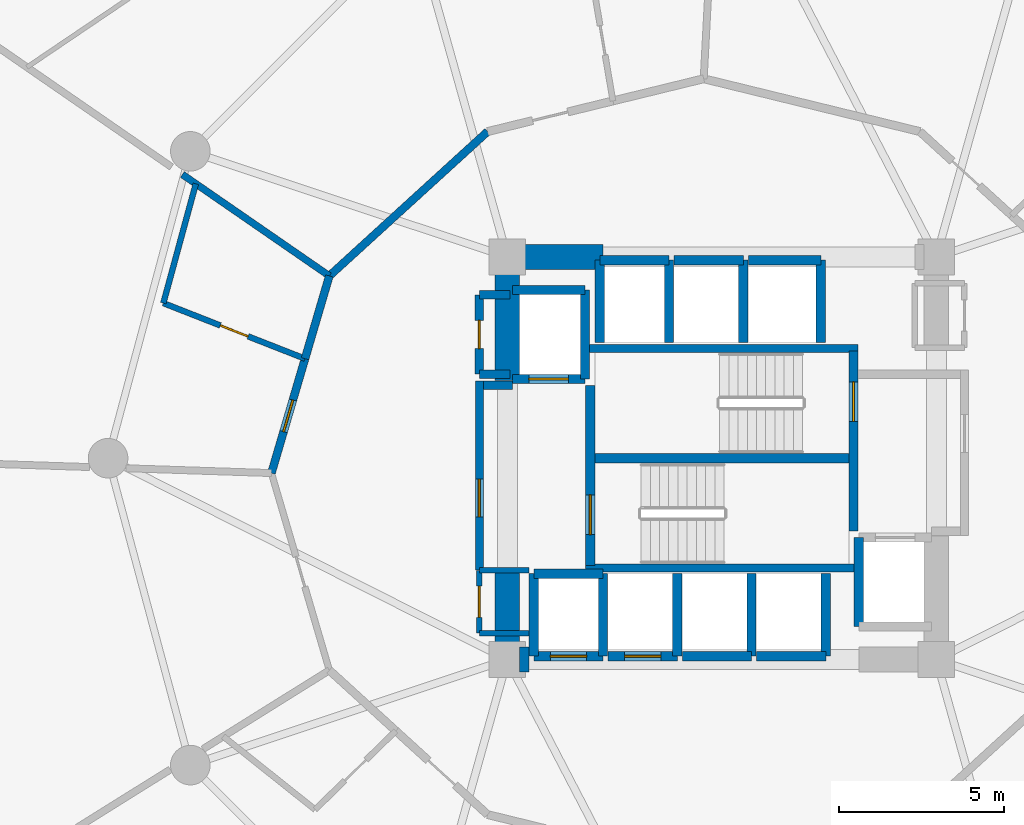
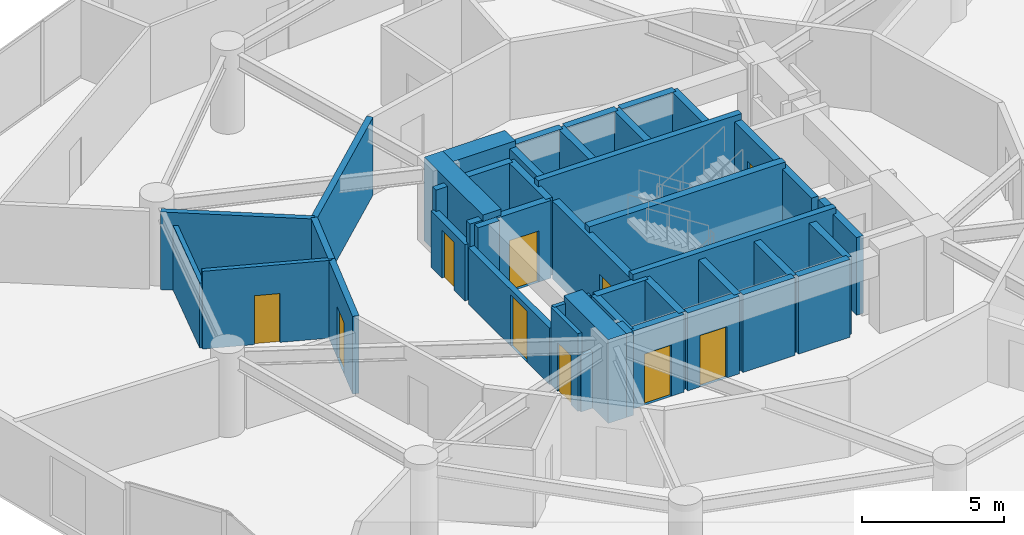
# One storey, part 21 of 26: 44 walls, 10 doors, 10 openings.
"""IFC4 building model written with IfcOpenShell, lengths in metres."""

from ifc_helpers import new_model, si_unit, direction, frame, frame_2d, origin, place, context, subcontext, project, spatial, rectangle, extrude, material, layer, layer_set, type_object, element, fill, save


model = new_model("IFC4")

# Units and contexts
model_context = context("Model", 3, precision=1e-05, world=origin(), true_north=direction((0.0, 1.0)))
body_context = subcontext(model_context, "Body", "Model", "MODEL_VIEW")
ifc_project = project(units=[si_unit("LENGTHUNIT", "METRE"), si_unit("AREAUNIT", "SQUARE_METRE"), si_unit("VOLUMEUNIT", "CUBIC_METRE"), si_unit("PLANEANGLEUNIT", "RADIAN"), si_unit("MASSUNIT", "GRAM", prefix="KILO")], contexts=[model_context])

# Site, building, storey
site_placement = place(None, origin())
site = spatial("IfcSite", under=ifc_project, at=site_placement, CompositionType="ELEMENT")
building_placement = place(site_placement, origin())
building = spatial("IfcBuilding", under=site, at=building_placement, Name="Solvirekh Grand Hotel", CompositionType="ELEMENT")
storey_placement = place(building_placement, frame((0.0, 0.0, 68.0)))
storey = spatial("IfcBuildingStorey", under=building, at=storey_placement, Name="L16", CompositionType="ELEMENT", Elevation=68.0)

# Walls
ifc_material_1 = material(Name="Concrete C50/60", Category="concrete")
ifc_layer_1 = layer(ifc_material_1, 0.35009765625)
ifc_layer_set_1 = layer_set([ifc_layer_1], Name="Concrete C50/60")
wall_type_1 = type_object("IfcWallType", Name="CoreDivWall_RC350", PredefinedType="SOLIDWALL", material=ifc_layer_set_1)
for number, where, z_axis, x_axis, name in (
    (1, (-4.1298828125, -3.324951171875, 0.0), (0.0, 0.0, 1.0), (1.0, 0.0, 0.0), "L16 core stair box wall ST-S"),
    (2, (-4.1298828125, 3.324951171875, 0.0), (0.0, 0.0, 1.0), (1.0, 0.0, 0.0), "L16 core stair box wall ST-N"),
):
    element("IfcWall", number, at=place(storey_placement, frame(where, z_axis=z_axis, x_axis=x_axis)), inside=storey, type_object=wall_type_1, Name=name, PredefinedType="SOLIDWALL", context=body_context, shape_type="SweptSolid", body=[
        extrude(rectangle(XDim=8.259765625, YDim=0.25, at=frame_2d((4.1298828125, 0.0))), origin(), (0.0, 0.0, 1.0), 3.60009765625),
    ])

# Wall, opening, door
ifc_material_2 = material(Name="Concrete C40/50", Category="concrete")
ifc_layer_2 = layer(ifc_material_2, 0.280029296875)
ifc_layer_set_2 = layer_set([ifc_layer_2], Name="Concrete C40/50")
wall_type_2 = type_object("IfcWallType", Name="CoreShaftWall_RC280", PredefinedType="SOLIDWALL", material=ifc_layer_set_2)
wall_1_placement = place(storey_placement, frame((-5.699951171875, -6.0, 0.0), z_axis=(0.0, 0.0, 1.0), x_axis=(1.0, 0.0, 0.0)))
wall_1 = element("IfcWall", 3, at=wall_1_placement, inside=storey, type_object=wall_type_2, Name="L16 LP-1 hoistway S wall", PredefinedType="SOLIDWALL", context=body_context, shape_type="SweptSolid", body=[
    extrude(rectangle(XDim=2.099853515625, YDim=0.280029296875, at=frame_2d((1.0498046875, 0.0))), origin(), (0.0, 0.0, 1.0), 3.340087890625),
])
opening_1_placement = place(wall_1_placement, frame((0.5, 0.0, 0.0)))
opening_1 = element("IfcOpeningElement", 4, at=opening_1_placement, cuts=wall_1, Name="Opening LD01", PredefinedType="OPENING", context=body_context, shape_type="SweptSolid", body=[
    extrude(rectangle(XDim=1.10009765625, YDim=2.199951171875, at=frame_2d((0.550048828125, 1.10009765625))), frame((0.0, 0.14990234375, 0.0), z_axis=(0.0, -1.0, 0.0), x_axis=(1.0, 0.0, 0.0)), (0.0, 0.0, 1.0), 0.300048828125),
])
ifc_material_3 = material(Name="Fire-Rated Steel Door Assembly", Category="steel")
door_type_1 = type_object("IfcDoorType", Name="Door_LiftLanding_1100X2200", OperationType="SLIDING_TO_LEFT", PredefinedType="DOOR", material=ifc_material_3)
door_1_placement = place(opening_1_placement, origin())
door_1 = element("IfcDoor", 5, at=door_1_placement, inside=storey, type_object=door_type_1, Name="L16 LP-1 sliding lift landing door", OperationType="SLIDING_TO_LEFT", OverallHeight=2.199951171875, OverallWidth=1.10009765625, PredefinedType="DOOR", context=body_context, shape_type="SweptSolid", body=[
    extrude(rectangle(XDim=1.10009765625, YDim=2.199951171875, at=frame_2d((0.550048828125, 1.10009765625))), frame((0.0, 0.02490234375, 0.0), z_axis=(0.0, -1.0, 0.0), x_axis=(1.0, 0.0, 0.0)), (0.0, 0.0, 1.0), 0.050048828125),
])
fill(opening_1, door_1)

# Walls
wall_2_placement = place(storey_placement, frame((-3.60009765625, -3.5, 0.0), z_axis=(0.0, 0.0, 1.0), x_axis=(-1.0, 0.0, 0.0)))
element("IfcWall", 6, at=wall_2_placement, inside=storey, type_object=wall_type_2, Name="L16 LP-1 hoistway N wall", PredefinedType="SOLIDWALL", context=body_context, shape_type="SweptSolid", body=[
    extrude(rectangle(XDim=2.099853515625, YDim=0.280029296875, at=frame_2d((1.0498046875, 0.0))), origin(), (0.0, 0.0, 1.0), 3.340087890625),
])
for number, where, z_axis, x_axis, name in (
    (7, (-5.699951171875, -3.5, 0.0), (0.0, 0.0, 1.0), (0.0, -1.0, 0.0), "L16 LP-1 hoistway W wall"),
    (8, (-3.60009765625, -6.0, 0.0), (0.0, 0.0, 1.0), (0.0, 1.0, 0.0), "L16 LP-1 hoistway E wall"),
):
    element("IfcWall", number, at=place(storey_placement, frame(where, z_axis=z_axis, x_axis=x_axis)), inside=storey, type_object=wall_type_2, Name=name, PredefinedType="SOLIDWALL", context=body_context, shape_type="SweptSolid", body=[
        extrude(rectangle(XDim=2.5, YDim=0.280029296875, at=frame_2d((1.25, 0.0))), origin(), (0.0, 0.0, 1.0), 3.340087890625),
    ])

# Wall, opening, door
wall_3_placement = place(storey_placement, frame((-3.449951171875, -6.0, 0.0), z_axis=(0.0, 0.0, 1.0), x_axis=(1.0, 0.0, 0.0)))
wall_3 = element("IfcWall", 9, at=wall_3_placement, inside=storey, type_object=wall_type_2, Name="L16 LP-2 hoistway S wall", PredefinedType="SOLIDWALL", context=body_context, shape_type="SweptSolid", body=[
    extrude(rectangle(XDim=2.099853515625, YDim=0.280029296875, at=frame_2d((1.0498046875, 0.0))), origin(), (0.0, 0.0, 1.0), 3.340087890625),
])
opening_2_placement = place(wall_3_placement, frame((0.5, 0.0, 0.0)))
opening_2 = element("IfcOpeningElement", 10, at=opening_2_placement, cuts=wall_3, Name="Opening LD01", PredefinedType="OPENING", context=body_context, shape_type="SweptSolid", body=[
    extrude(rectangle(XDim=1.10009765625, YDim=2.199951171875, at=frame_2d((0.550048828125, 1.10009765625))), frame((0.0, 0.14990234375, 0.0), z_axis=(0.0, -1.0, 0.0), x_axis=(1.0, 0.0, 0.0)), (0.0, 0.0, 1.0), 0.300048828125),
])
door_2_placement = place(opening_2_placement, origin())
door_2 = element("IfcDoor", 11, at=door_2_placement, inside=storey, type_object=door_type_1, Name="L16 LP-2 sliding lift landing door", OperationType="SLIDING_TO_LEFT", OverallHeight=2.199951171875, OverallWidth=1.10009765625, PredefinedType="DOOR", context=body_context, shape_type="SweptSolid", body=[
    extrude(rectangle(XDim=1.10009765625, YDim=2.199951171875, at=frame_2d((0.550048828125, 1.10009765625))), frame((0.0, 0.02490234375, 0.0), z_axis=(0.0, -1.0, 0.0), x_axis=(1.0, 0.0, 0.0)), (0.0, 0.0, 1.0), 0.050048828125),
])
fill(opening_2, door_2)

# Walls
wall_4_placement = place(storey_placement, frame((-1.35009765625, -6.0, 0.0), z_axis=(0.0, 0.0, 1.0), x_axis=(0.0, 1.0, 0.0)))
element("IfcWall", 12, at=wall_4_placement, inside=storey, type_object=wall_type_2, Name="L16 LP-2 hoistway E wall", PredefinedType="SOLIDWALL", context=body_context, shape_type="SweptSolid", body=[
    extrude(rectangle(XDim=2.5, YDim=0.280029296875, at=frame_2d((1.25, 0.0))), origin(), (0.0, 0.0, 1.0), 3.340087890625),
])
wall_5_placement = place(storey_placement, frame((-1.199951171875, -6.0, 0.0), z_axis=(0.0, 0.0, 1.0), x_axis=(1.0, 0.0, 0.0)))
element("IfcWall", 13, at=wall_5_placement, inside=storey, type_object=wall_type_2, Name="L16 MP-1 hoistway S wall", PredefinedType="SOLIDWALL", context=body_context, shape_type="SweptSolid", body=[
    extrude(rectangle(XDim=2.099853515625, YDim=0.280029296875, at=frame_2d((1.0498046875, 0.0))), origin(), (0.0, 0.0, 1.0), 3.340087890625),
])
wall_6_placement = place(storey_placement, frame((0.89990234375, -6.0, 0.0), z_axis=(0.0, 0.0, 1.0), x_axis=(0.0, 1.0, 0.0)))
element("IfcWall", 14, at=wall_6_placement, inside=storey, type_object=wall_type_2, Name="L16 MP-1 hoistway E wall", PredefinedType="SOLIDWALL", context=body_context, shape_type="SweptSolid", body=[
    extrude(rectangle(XDim=2.5, YDim=0.280029296875, at=frame_2d((1.25, 0.0))), origin(), (0.0, 0.0, 1.0), 3.340087890625),
])
wall_7_placement = place(storey_placement, frame((1.050048828125, -6.0, 0.0), z_axis=(0.0, 0.0, 1.0), x_axis=(1.0, 0.0, 0.0)))
element("IfcWall", 15, at=wall_7_placement, inside=storey, type_object=wall_type_2, Name="L16 MP-2 hoistway S wall", PredefinedType="SOLIDWALL", context=body_context, shape_type="SweptSolid", body=[
    extrude(rectangle(XDim=2.099853515625, YDim=0.280029296875, at=frame_2d((1.0498046875, 0.0))), origin(), (0.0, 0.0, 1.0), 3.340087890625),
])
wall_8_placement = place(storey_placement, frame((3.14990234375, -6.0, 0.0), z_axis=(0.0, 0.0, 1.0), x_axis=(0.0, 1.0, 0.0)))
element("IfcWall", 16, at=wall_8_placement, inside=storey, type_object=wall_type_2, Name="L16 MP-2 hoistway E wall", PredefinedType="SOLIDWALL", context=body_context, shape_type="SweptSolid", body=[
    extrude(rectangle(XDim=2.5, YDim=0.280029296875, at=frame_2d((1.25, 0.0))), origin(), (0.0, 0.0, 1.0), 3.340087890625),
])
wall_9_placement = place(storey_placement, frame((-1.60009765625, 6.0, 0.0), z_axis=(0.0, 0.0, 1.0), x_axis=(-1.0, 0.0, 0.0)))
element("IfcWall", 17, at=wall_9_placement, inside=storey, type_object=wall_type_2, Name="L16 HP-1 hoistway N wall", PredefinedType="SOLIDWALL", context=body_context, shape_type="SweptSolid", body=[
    extrude(rectangle(XDim=2.099853515625, YDim=0.280029296875, at=frame_2d((1.0498046875, 0.0))), origin(), (0.0, 0.0, 1.0), 3.340087890625),
])
for number, where, z_axis, x_axis, name in (
    (18, (-3.699951171875, 6.0, 0.0), (0.0, 0.0, 1.0), (0.0, -1.0, 0.0), "L16 HP-1 hoistway W wall"),
    (19, (-1.60009765625, 3.5, 0.0), (0.0, 0.0, 1.0), (0.0, 1.0, 0.0), "L16 HP-1 hoistway E wall"),
):
    element("IfcWall", number, at=place(storey_placement, frame(where, z_axis=z_axis, x_axis=x_axis)), inside=storey, type_object=wall_type_2, Name=name, PredefinedType="SOLIDWALL", context=body_context, shape_type="SweptSolid", body=[
        extrude(rectangle(XDim=2.5, YDim=0.280029296875, at=frame_2d((1.25, 0.0))), origin(), (0.0, 0.0, 1.0), 3.340087890625),
    ])
wall_10_placement = place(storey_placement, frame((0.64990234375, 6.0, 0.0), z_axis=(0.0, 0.0, 1.0), x_axis=(-1.0, 0.0, 0.0)))
element("IfcWall", 20, at=wall_10_placement, inside=storey, type_object=wall_type_2, Name="L16 HP-2 hoistway N wall", PredefinedType="SOLIDWALL", context=body_context, shape_type="SweptSolid", body=[
    extrude(rectangle(XDim=2.099853515625, YDim=0.280029296875, at=frame_2d((1.0498046875, 0.0))), origin(), (0.0, 0.0, 1.0), 3.340087890625),
])
wall_11_placement = place(storey_placement, frame((0.64990234375, 3.5, 0.0), z_axis=(0.0, 0.0, 1.0), x_axis=(0.0, 1.0, 0.0)))
element("IfcWall", 21, at=wall_11_placement, inside=storey, type_object=wall_type_2, Name="L16 HP-2 hoistway E wall", PredefinedType="SOLIDWALL", context=body_context, shape_type="SweptSolid", body=[
    extrude(rectangle(XDim=2.5, YDim=0.280029296875, at=frame_2d((1.25, 0.0))), origin(), (0.0, 0.0, 1.0), 3.340087890625),
])
wall_12_placement = place(storey_placement, frame((3.0, 6.0, 0.0), z_axis=(0.0, 0.0, 1.0), x_axis=(-1.0, 0.0, 0.0)))
element("IfcWall", 22, at=wall_12_placement, inside=storey, type_object=wall_type_2, Name="L16 EX-1 hoistway N wall", PredefinedType="SOLIDWALL", context=body_context, shape_type="SweptSolid", body=[
    extrude(rectangle(XDim=2.199951171875, YDim=0.280029296875, at=frame_2d((1.10009765625, 0.0))), origin(), (0.0, 0.0, 1.0), 3.340087890625),
])
wall_13_placement = place(storey_placement, frame((3.0, 3.5, 0.0), z_axis=(0.0, 0.0, 1.0), x_axis=(0.0, 1.0, 0.0)))
element("IfcWall", 23, at=wall_13_placement, inside=storey, type_object=wall_type_2, Name="L16 EX-1 hoistway E wall", PredefinedType="SOLIDWALL", context=body_context, shape_type="SweptSolid", body=[
    extrude(rectangle(XDim=2.5, YDim=0.280029296875, at=frame_2d((1.25, 0.0))), origin(), (0.0, 0.0, 1.0), 3.340087890625),
])

# Wall, opening, door
wall_14_placement = place(storey_placement, frame((-6.35009765625, 2.39990234375, 0.0), z_axis=(0.0, 0.0, 1.0), x_axis=(1.0, 0.0, 0.0)))
wall_14 = element("IfcWall", 24, at=wall_14_placement, inside=storey, type_object=wall_type_2, Name="L16 FL-1 hoistway S wall", PredefinedType="SOLIDWALL", context=body_context, shape_type="SweptSolid", body=[
    extrude(rectangle(XDim=2.2001953125, YDim=0.280029296875, at=frame_2d((1.10009765625, 0.0))), origin(), (0.0, 0.0, 1.0), 3.340087890625),
])
opening_3_placement = place(wall_14_placement, frame((0.5, 0.0, 0.0)))
opening_3 = element("IfcOpeningElement", 25, at=opening_3_placement, cuts=wall_14, Name="Opening LD02", PredefinedType="OPENING", context=body_context, shape_type="SweptSolid", body=[
    extrude(rectangle(XDim=1.199951171875, YDim=2.199951171875, at=frame_2d((0.60009765625, 1.10009765625))), frame((0.0, 0.14990234375, 0.0), z_axis=(0.0, -1.0, 0.0), x_axis=(1.0, 0.0, 0.0)), (0.0, 0.0, 1.0), 0.300048828125),
])
door_type_2 = type_object("IfcDoorType", Name="Door_LiftFF_1200X2200", OperationType="SLIDING_TO_LEFT", PredefinedType="DOOR", material=ifc_material_3)
door_3_placement = place(opening_3_placement, origin())
door_3 = element("IfcDoor", 26, at=door_3_placement, inside=storey, type_object=door_type_2, Name="L16 FL-1 sliding lift landing door", OperationType="SLIDING_TO_LEFT", OverallHeight=2.199951171875, OverallWidth=1.199951171875, PredefinedType="DOOR", context=body_context, shape_type="SweptSolid", body=[
    extrude(rectangle(XDim=1.199951171875, YDim=2.199951171875, at=frame_2d((0.60009765625, 1.10009765625))), frame((0.0, 0.02490234375, 0.0), z_axis=(0.0, -1.0, 0.0), x_axis=(1.0, 0.0, 0.0)), (0.0, 0.0, 1.0), 0.050048828125),
])
fill(opening_3, door_3)

# Walls
wall_15_placement = place(storey_placement, frame((-4.14990234375, 5.10009765625, 0.0), z_axis=(0.0, 0.0, 1.0), x_axis=(-1.0, 0.0, 0.0)))
element("IfcWall", 27, at=wall_15_placement, inside=storey, type_object=wall_type_2, Name="L16 FL-1 hoistway N wall", PredefinedType="SOLIDWALL", context=body_context, shape_type="SweptSolid", body=[
    extrude(rectangle(XDim=2.2001953125, YDim=0.280029296875, at=frame_2d((1.10009765625, 0.0))), origin(), (0.0, 0.0, 1.0), 3.340087890625),
])
for number, where, z_axis, x_axis, name in (
    (28, (-4.14990234375, 2.39990234375, 0.0), (0.0, 0.0, 1.0), (0.0, 1.0, 0.0), "L16 FL-1 hoistway E wall"),
    (29, (4.14990234375, -2.39990234375, 0.0), (0.0, 0.0, 1.0), (0.0, -1.0, 0.0), "L16 FL-2 hoistway W wall"),
):
    element("IfcWall", number, at=place(storey_placement, frame(where, z_axis=z_axis, x_axis=x_axis)), inside=storey, type_object=wall_type_2, Name=name, PredefinedType="SOLIDWALL", context=body_context, shape_type="SweptSolid", body=[
        extrude(rectangle(XDim=2.7001953125, YDim=0.280029296875, at=frame_2d((1.35009765625, 0.0))), origin(), (0.0, 0.0, 1.0), 3.340087890625),
    ])

# Wall, opening, door
wall_16_placement = place(storey_placement, frame((-3.989990234375, -3.25, 0.0), z_axis=(0.0, 0.0, 1.0), x_axis=(0.0, 1.0, 0.0)))
wall_16 = element("IfcWall", 30, at=wall_16_placement, inside=storey, type_object=wall_type_2, Name="L16 west stair landing enclosure wall", PredefinedType="SOLIDWALL", context=body_context, shape_type="SweptSolid", body=[
    extrude(rectangle(XDim=5.4599609375, YDim=0.280029296875, at=frame_2d((2.72998046875, 0.0))), origin(), (0.0, 0.0, 1.0), 3.340087890625),
])
opening_4_placement = place(wall_16_placement, frame((0.93701171875, 0.0, 0.0)))
opening_4 = element("IfcOpeningElement", 31, at=opening_4_placement, cuts=wall_16, Name="Opening D05", PredefinedType="OPENING", context=body_context, shape_type="SweptSolid", body=[
    extrude(rectangle(XDim=1.199951171875, YDim=2.199951171875, at=frame_2d((0.60009765625, 1.10009765625))), frame((0.0, 0.14990234375, 0.0), z_axis=(0.0, -1.0, 0.0), x_axis=(1.0, 0.0, 0.0)), (0.0, 0.0, 1.0), 0.300048828125),
])
door_type_3 = type_object("IfcDoorType", Name="Door_StairCore_1200X2200", OperationType="NOTDEFINED", PredefinedType="DOOR", material=ifc_material_3)
door_4_placement = place(opening_4_placement, origin())
door_4 = element("IfcDoor", 32, at=door_4_placement, inside=storey, type_object=door_type_3, Name="L16 exit stair ST-1 fire door", OperationType="SINGLE_SWING_RIGHT", OverallHeight=2.199951171875, OverallWidth=1.199951171875, PredefinedType="DOOR", context=body_context, shape_type="SweptSolid", body=[
    extrude(rectangle(XDim=1.199951171875, YDim=2.199951171875, at=frame_2d((0.60009765625, 1.10009765625))), frame((0.0, 0.02490234375, 0.0), z_axis=(0.0, -1.0, 0.0), x_axis=(1.0, 0.0, 0.0)), (0.0, 0.0, 1.0), 0.050048828125),
])
fill(opening_4, door_4)

wall_17_placement = place(storey_placement, frame((3.989990234375, -2.2099609375, 0.0), z_axis=(0.0, 0.0, 1.0), x_axis=(0.0, 1.0, 0.0)))
wall_17 = element("IfcWall", 33, at=wall_17_placement, inside=storey, type_object=wall_type_2, Name="L16 east stair landing enclosure wall", PredefinedType="SOLIDWALL", context=body_context, shape_type="SweptSolid", body=[
    extrude(rectangle(XDim=5.4599609375, YDim=0.280029296875, at=frame_2d((2.72998046875, 0.0))), origin(), (0.0, 0.0, 1.0), 3.340087890625),
])
opening_5_placement = place(wall_17_placement, frame((3.322998046875, 0.0, 0.0)))
opening_5 = element("IfcOpeningElement", 34, at=opening_5_placement, cuts=wall_17, Name="Opening D05", PredefinedType="OPENING", context=body_context, shape_type="SweptSolid", body=[
    extrude(rectangle(XDim=1.199951171875, YDim=2.199951171875, at=frame_2d((0.60009765625, 1.10009765625))), frame((0.0, 0.14990234375, 0.0), z_axis=(0.0, -1.0, 0.0), x_axis=(1.0, 0.0, 0.0)), (0.0, 0.0, 1.0), 0.300048828125),
])
door_5_placement = place(opening_5_placement, origin())
door_5 = element("IfcDoor", 35, at=door_5_placement, inside=storey, type_object=door_type_3, Name="L16 exit stair ST-2 fire door", OperationType="SINGLE_SWING_LEFT", OverallHeight=2.199951171875, OverallWidth=1.199951171875, PredefinedType="DOOR", context=body_context, shape_type="SweptSolid", body=[
    extrude(rectangle(XDim=1.199951171875, YDim=2.199951171875, at=frame_2d((0.60009765625, 1.10009765625))), frame((0.0, 0.02490234375, 0.0), z_axis=(0.0, -1.0, 0.0), x_axis=(1.0, 0.0, 0.0)), (0.0, 0.0, 1.0), 0.050048828125),
])
fill(opening_5, door_5)

# Walls
ifc_material_4 = material(Name="Concrete C60/75", Category="concrete")
ifc_layer_3 = layer(ifc_material_4, 0.75)
ifc_layer_set_3 = layer_set([ifc_layer_3], Name="Concrete C60/75")
wall_type_3 = type_object("IfcWallType", Name="CoreWall_RC750", PredefinedType="SHEAR", material=ifc_layer_set_3)
wall_18_placement = place(storey_placement, frame((-3.989990234375, 0.0, 0.0), z_axis=(0.0, 0.0, 1.0), x_axis=(1.0, 0.0, 0.0)))
element("IfcWall", 36, at=wall_18_placement, inside=storey, type_object=wall_type_3, Name="L16 central stair-spine shear wall", PredefinedType="SHEAR", context=body_context, shape_type="SweptSolid", body=[
    extrude(rectangle(XDim=7.97998046875, YDim=0.300048828125, at=frame_2d((3.989990234375, 0.0))), origin(), (0.0, 0.0, 1.0), 3.60009765625),
])
wall_19_placement = place(storey_placement, frame((-6.125, -6.10009765625, 0.0), z_axis=(0.0, 0.0, 1.0), x_axis=(1.0, 0.0, 0.0)))
element("IfcWall", 37, at=wall_19_placement, inside=storey, type_object=wall_type_3, Name="L16 core corner shear wall SW-S", PredefinedType="SHEAR", context=body_context, shape_type="SweptSolid", body=[
    extrude(rectangle(XDim=0.27490234375, YDim=0.75, at=frame_2d((0.137451171875, 0.0))), origin(), (0.0, 0.0, 1.0), 3.60009765625),
])
wall_20_placement = place(storey_placement, frame((-6.125, 6.10009765625, 0.0), z_axis=(0.0, 0.0, 1.0), x_axis=(1.0, 0.0, 0.0)))
element("IfcWall", 38, at=wall_20_placement, inside=storey, type_object=wall_type_3, Name="L16 core corner shear wall NW-N", PredefinedType="SHEAR", context=body_context, shape_type="SweptSolid", body=[
    extrude(rectangle(XDim=2.52490234375, YDim=0.75, at=frame_2d((1.262451171875, 0.0))), origin(), (0.0, 0.0, 1.0), 3.60009765625),
])
wall_21_placement = place(storey_placement, frame((-6.5, 2.35009765625, 0.0), z_axis=(0.0, 0.0, 1.0), x_axis=(0.0, 1.0, 0.0)))
element("IfcWall", 39, at=wall_21_placement, inside=storey, type_object=wall_type_3, Name="L16 core corner shear wall WN-W", PredefinedType="SHEAR", context=body_context, shape_type="SweptSolid", body=[
    extrude(rectangle(XDim=4.125, YDim=0.75, at=frame_2d((2.0625, 0.0))), origin(), (0.0, 0.0, 1.0), 3.60009765625),
])
wall_22_placement = place(storey_placement, frame((-6.5, -6.47509765625, 0.0), z_axis=(0.0, 0.0, 1.0), x_axis=(0.0, 1.0, 0.0)))
element("IfcWall", 40, at=wall_22_placement, inside=storey, type_object=wall_type_3, Name="L16 core corner shear wall WS-W", PredefinedType="SHEAR", context=body_context, shape_type="SweptSolid", body=[
    extrude(rectangle(XDim=3.125, YDim=0.75, at=frame_2d((1.5625, 0.0))), origin(), (0.0, 0.0, 1.0), 3.60009765625),
])
ifc_material_5 = material(Name="Acoustic Gypsum Partition Assembly")
ifc_layer_4 = layer(ifc_material_5, 0.1650390625)
ifc_layer_set_4 = layer_set([ifc_layer_4], Name="Acoustic Gypsum Partition Assembly")
wall_type_4 = type_object("IfcWallType", Name="Part_BOH_165", PredefinedType="PARTITIONING", material=ifc_layer_set_4)
wall_23_placement = place(storey_placement, frame((-7.35009765625, -5.300048828125, 0.0), z_axis=(0.0, 0.0, 1.0), x_axis=(1.0, 0.0, 0.0)))
element("IfcWall", 41, at=wall_23_placement, inside=storey, type_object=wall_type_4, Name="L16 L16 Butler Service Closet wall 1", PredefinedType="PARTITIONING", context=body_context, shape_type="SweptSolid", body=[
    extrude(rectangle(XDim=1.5, YDim=0.1650390625, at=frame_2d((0.75, 0.0))), origin(), (0.0, 0.0, 1.0), 2.425048828125),
])
wall_24_placement = place(storey_placement, frame((-5.85009765625, -3.39990234375, 0.0), z_axis=(0.0, 0.0, 1.0), x_axis=(-1.0, 0.0, 0.0)))
element("IfcWall", 42, at=wall_24_placement, inside=storey, type_object=wall_type_4, Name="L16 L16 Butler Service Closet wall 3", PredefinedType="PARTITIONING", context=body_context, shape_type="SweptSolid", body=[
    extrude(rectangle(XDim=1.5, YDim=0.1650390625, at=frame_2d((0.75, 0.0))), origin(), (0.0, 0.0, 1.0), 3.340087890625),
])

# Wall, opening, door
wall_25_placement = place(storey_placement, frame((-7.35009765625, -3.39990234375, 0.0), z_axis=(0.0, 0.0, 1.0), x_axis=(0.0, -1.0, 0.0)))
wall_25 = element("IfcWall", 43, at=wall_25_placement, inside=storey, type_object=wall_type_4, Name="L16 L16 Butler Service Closet wall 4", PredefinedType="PARTITIONING", context=body_context, shape_type="SweptSolid", body=[
    extrude(rectangle(XDim=1.900146484375, YDim=0.1650390625, at=frame_2d((0.9501953125, 0.0))), origin(), (0.0, 0.0, 1.0), 3.340087890625),
])
opening_6_placement = place(wall_25_placement, frame((0.47509765625, 0.0, 0.0)))
opening_6 = element("IfcOpeningElement", 44, at=opening_6_placement, cuts=wall_25, Name="Opening D10", PredefinedType="OPENING", context=body_context, shape_type="SweptSolid", body=[
    extrude(rectangle(XDim=0.949951171875, YDim=2.10009765625, at=frame_2d((0.47509765625, 1.050048828125))), frame((0.0, 0.092529296875, 0.0), z_axis=(0.0, -1.0, 0.0), x_axis=(1.0, 0.0, 0.0)), (0.0, 0.0, 1.0), 0.18505859375),
])
ifc_material_6 = material(Name="Anodized Bronze Aluminium 6063-T6", Category="aluminium")
door_type_4 = type_object("IfcDoorType", Name="Door_RoomInt_950X2100", OperationType="NOTDEFINED", PredefinedType="DOOR", material=ifc_material_6)
door_6_placement = place(opening_6_placement, origin())
door_6 = element("IfcDoor", 45, at=door_6_placement, inside=storey, type_object=door_type_4, Name="L16 L16 Butler Service Closet door", OperationType="SINGLE_SWING_LEFT", OverallHeight=2.10009765625, OverallWidth=0.949951171875, PredefinedType="DOOR", context=body_context, shape_type="SweptSolid", body=[
    extrude(rectangle(XDim=0.949951171875, YDim=2.10009765625, at=frame_2d((0.47509765625, 1.050048828125))), frame((0.0, 0.02490234375, 0.0), z_axis=(0.0, -1.0, 0.0), x_axis=(1.0, 0.0, 0.0)), (0.0, 0.0, 1.0), 0.050048828125),
])
fill(opening_6, door_6)

ifc_layer_5 = layer(ifc_material_5, 0.239990234375)
ifc_layer_set_5 = layer_set([ifc_layer_5], Name="Acoustic Gypsum Partition Assembly")
wall_type_5 = type_object("IfcWallType", Name="Part_Corridor_240", PredefinedType="PARTITIONING", material=ifc_layer_set_5)
wall_26_placement = place(storey_placement, frame((-7.35009765625, -3.3798828125, 0.0), z_axis=(0.0, 0.0, 1.0), x_axis=(0.0, 1.0, 0.0)))
wall_26 = element("IfcWall", 46, at=wall_26_placement, inside=storey, type_object=wall_type_5, Name="L16 west firefighting lobby smoke screen wall", PredefinedType="PARTITIONING", context=body_context, shape_type="SweptSolid", body=[
    extrude(rectangle(XDim=5.719970703125, YDim=0.239990234375, at=frame_2d((2.85986328125, 0.0))), origin(), (0.0, 0.0, 1.0), 2.425048828125),
])
opening_7_placement = place(wall_26_placement, frame((1.59912109375, 0.0, 0.0)))
opening_7 = element("IfcOpeningElement", 47, at=opening_7_placement, cuts=wall_26, Name="Opening D06", PredefinedType="OPENING", context=body_context, shape_type="SweptSolid", body=[
    extrude(rectangle(XDim=1.14990234375, YDim=2.199951171875, at=frame_2d((0.574951171875, 1.10009765625))), frame((0.0, 0.1298828125, 0.0), z_axis=(0.0, -1.0, 0.0), x_axis=(1.0, 0.0, 0.0)), (0.0, 0.0, 1.0), 0.260009765625),
])
door_type_5 = type_object("IfcDoorType", Name="Door_FFLobby_1150X2200", OperationType="NOTDEFINED", PredefinedType="DOOR", material=ifc_material_3)
door_7_placement = place(opening_7_placement, origin())
door_7 = element("IfcDoor", 48, at=door_7_placement, inside=storey, type_object=door_type_5, Name="L16 west firefighting lobby smoke door", OperationType="SINGLE_SWING_RIGHT", OverallHeight=2.199951171875, OverallWidth=1.14990234375, PredefinedType="DOOR", context=body_context, shape_type="SweptSolid", body=[
    extrude(rectangle(XDim=1.14990234375, YDim=2.199951171875, at=frame_2d((0.574951171875, 1.10009765625))), frame((0.0, 0.02490234375, 0.0), z_axis=(0.0, -1.0, 0.0), x_axis=(1.0, 0.0, 0.0)), (0.0, 0.0, 1.0), 0.050048828125),
])
fill(opening_7, door_7)

# Walls
wall_27_placement = place(storey_placement, frame((-7.10009765625, 9.89892578125, 0.0), z_axis=(0.0, 0.0, 1.0), x_axis=(-0.73878836807, -0.673937495028, 0.0)))
element("IfcWall", 49, at=wall_27_placement, inside=storey, type_object=wall_type_5, Name="L16 Executive Suite 1804 Living Room corridor wall 1", PredefinedType="PARTITIONING", context=body_context, shape_type="SweptSolid", body=[
    extrude(rectangle(XDim=6.490234375, YDim=0.239990234375, at=frame_2d((3.2451171875, 0.0))), origin(), (0.0, 0.0, 1.0), 3.340087890625),
])
wall_28_placement = place(storey_placement, frame((-11.89501953125, 5.52490234375, 0.0), z_axis=(0.0, 0.0, 1.0), x_axis=(-0.281878178616, -0.9594502032, 0.0)))
element("IfcWall", 50, at=wall_28_placement, inside=storey, type_object=wall_type_5, Name="L16 En-suite Bathroom 1805 corridor backing wall", PredefinedType="PARTITIONING", context=body_context, shape_type="SweptSolid", body=[
    extrude(rectangle(XDim=2.61474609375, YDim=0.239990234375, at=frame_2d((1.307373046875, 0.0))), origin(), (0.0, 0.0, 1.0), 3.340087890625),
])

# Wall, opening, door
wall_29_placement = place(storey_placement, frame((-12.632080078125, 3.01611328125, 0.0), z_axis=(0.0, 0.0, 1.0), x_axis=(-0.281756491287, -0.959485945503, 0.0)))
wall_29 = element("IfcWall", 51, at=wall_29_placement, inside=storey, type_object=wall_type_5, Name="L16 Deluxe Guestroom 1805 entrance wall", PredefinedType="PARTITIONING", context=body_context, shape_type="SweptSolid", body=[
    extrude(rectangle(XDim=3.6123046875, YDim=0.239990234375, at=frame_2d((1.80615234375, 0.0))), origin(), (0.0, 0.0, 1.0), 3.340087890625),
])
opening_8_placement = place(wall_29_placement, frame((1.305908203125, 0.0, 0.0)))
opening_8 = element("IfcOpeningElement", 52, at=opening_8_placement, cuts=wall_29, Name="Opening D07", PredefinedType="OPENING", context=body_context, shape_type="SweptSolid", body=[
    extrude(rectangle(XDim=1.0, YDim=2.199951171875, at=frame_2d((0.5, 1.10009765625))), frame((0.0, 0.1298828125, 0.0), z_axis=(0.0, -1.0, 0.0), x_axis=(1.0, 0.0, 0.0)), (0.0, 0.0, 1.0), 0.260009765625),
])
door_type_6 = type_object("IfcDoorType", Name="Door_GuestEntry_1000X2200", OperationType="NOTDEFINED", PredefinedType="DOOR", material=ifc_material_3)
door_8_placement = place(opening_8_placement, origin())
door_8 = element("IfcDoor", 53, at=door_8_placement, inside=storey, type_object=door_type_6, Name="L16 Deluxe Guestroom 1805 entrance door", OperationType="SINGLE_SWING_RIGHT", OverallHeight=2.199951171875, OverallWidth=1.0, PredefinedType="DOOR", context=body_context, shape_type="SweptSolid", body=[
    extrude(rectangle(XDim=1.0, YDim=2.199951171875, at=frame_2d((0.5, 1.10009765625))), frame((0.0, 0.02490234375, 0.0), z_axis=(0.0, -1.0, 0.0), x_axis=(1.0, 0.0, 0.0)), (0.0, 0.0, 1.0), 0.050048828125),
])
fill(opening_8, door_8)

# Walls
ifc_layer_6 = layer(ifc_material_5, 0.260009765625)
ifc_layer_set_6 = layer_set([ifc_layer_6], Name="Acoustic Gypsum Partition Assembly")
wall_type_6 = type_object("IfcWallType", Name="Part_LobbyFF_260", PredefinedType="PARTITIONING", material=ifc_layer_set_6)
wall_30_placement = place(storey_placement, frame((-7.22509765625, 2.2099609375, 0.0), z_axis=(0.0, 0.0, 1.0), x_axis=(1.0, 0.0, 0.0)))
element("IfcWall", 54, at=wall_30_placement, inside=storey, type_object=wall_type_6, Name="L16 west firefighting lobby NW cheek", PredefinedType="PARTITIONING", context=body_context, shape_type="SweptSolid", body=[
    extrude(rectangle(XDim=0.875, YDim=0.260009765625, at=frame_2d((0.4375, 0.0))), origin(), (0.0, 0.0, 1.0), 3.340087890625),
])
for number, where, z_axis, x_axis, name in (
    (55, (-7.35009765625, 4.949951171875, 0.0), (0.0, 0.0, 1.0), (1.0, 0.0, 0.0), "L16 NW telecom metering cupboard north wall"),
    (56, (-7.35009765625, 2.550048828125, 0.0), (0.0, 0.0, 1.0), (1.0, 0.0, 0.0), "L16 NW telecom metering cupboard south wall"),
):
    element("IfcWall", number, at=place(storey_placement, frame(where, z_axis=z_axis, x_axis=x_axis)), inside=storey, type_object=wall_type_6, Name=name, PredefinedType="PARTITIONING", context=body_context, shape_type="SweptSolid", body=[
        extrude(rectangle(XDim=0.93017578125, YDim=0.260009765625, at=frame_2d((0.465087890625, 0.0))), origin(), (0.0, 0.0, 1.0), 3.340087890625),
    ])

# Wall, opening, door
wall_31_placement = place(storey_placement, frame((-7.35009765625, 2.550048828125, 0.0), z_axis=(0.0, 0.0, 1.0), x_axis=(0.0, 1.0, 0.0)))
wall_31 = element("IfcWall", 57, at=wall_31_placement, inside=storey, type_object=wall_type_6, Name="L16 NW telecom metering cupboard access wall", PredefinedType="PARTITIONING", context=body_context, shape_type="SweptSolid", body=[
    extrude(rectangle(XDim=2.39990234375, YDim=0.260009765625, at=frame_2d((1.199951171875, 0.0))), origin(), (0.0, 0.0, 1.0), 2.425048828125),
])
opening_9_placement = place(wall_31_placement, frame((0.77490234375, 0.0, 0.0)))
opening_9 = element("IfcOpeningElement", 58, at=opening_9_placement, cuts=wall_31, Name="Opening D13", PredefinedType="OPENING", context=body_context, shape_type="SweptSolid", body=[
    extrude(rectangle(XDim=0.85009765625, YDim=2.050048828125, at=frame_2d((0.425048828125, 1.02490234375))), frame((0.0, 0.14013671875, 0.0), z_axis=(0.0, -1.0, 0.0), x_axis=(1.0, 0.0, 0.0)), (0.0, 0.0, 1.0), 0.280029296875),
])
door_type_7 = type_object("IfcDoorType", Name="Door_RiserShaft_850X2050", OperationType="NOTDEFINED", PredefinedType="DOOR", material=ifc_material_3)
door_9_placement = place(opening_9_placement, origin())
door_9 = element("IfcDoor", 59, at=door_9_placement, inside=storey, type_object=door_type_7, Name="L16 telecom metering cupboard access door", OperationType="SINGLE_SWING_RIGHT", OverallHeight=2.050048828125, OverallWidth=0.85009765625, PredefinedType="DOOR", context=body_context, shape_type="SweptSolid", body=[
    extrude(rectangle(XDim=0.85009765625, YDim=2.050048828125, at=frame_2d((0.425048828125, 1.02490234375))), frame((0.0, 0.02490234375, 0.0), z_axis=(0.0, -1.0, 0.0), x_axis=(1.0, 0.0, 0.0)), (0.0, 0.0, 1.0), 0.050048828125),
])
fill(opening_9, door_9)

# Walls
ifc_layer_7 = layer(ifc_material_5, 0.2099609375)
ifc_layer_set_7 = layer_set([ifc_layer_7], Name="Acoustic Gypsum Partition Assembly")
wall_type_7 = type_object("IfcWallType", Name="Part_SuiteDemise_210", PredefinedType="PARTITIONING", material=ifc_layer_set_7)
wall_32_placement = place(storey_placement, frame((-11.89501953125, 5.52490234375, 0.0), z_axis=(0.0, 0.0, 1.0), x_axis=(-0.823003351356, 0.56803651613, 0.0)))
element("IfcWall", 60, at=wall_32_placement, inside=storey, type_object=wall_type_7, Name="L16 suite radial wall 6 (A)", PredefinedType="PARTITIONING", context=body_context, shape_type="SweptSolid", body=[
    extrude(rectangle(XDim=5.412109375, YDim=0.2099609375, at=frame_2d((2.7060546875, 0.0))), origin(), (0.0, 0.0, 1.0), 3.340087890625),
])
ifc_layer_8 = layer(ifc_material_5, 0.175048828125)
ifc_layer_set_8 = layer_set([ifc_layer_8], Name="Acoustic Gypsum Partition Assembly")
wall_type_8 = type_object("IfcWallType", Name="Plumb_Ensuite_175", PredefinedType="PLUMBINGWALL", material=ifc_layer_set_8)
wall_33_placement = place(storey_placement, frame((-15.94091796875, 8.31689453125, 0.0), z_axis=(0.0, 0.0, 1.0), x_axis=(-0.262544204064, -0.964919966066, 0.0)))
element("IfcWall", 61, at=wall_33_placement, inside=storey, type_object=wall_type_8, Name="L16 En-suite Bathroom 1805 outer plumbing wall", PredefinedType="PLUMBINGWALL", context=body_context, shape_type="SweptSolid", body=[
    extrude(rectangle(XDim=3.74853515625, YDim=0.175048828125, at=frame_2d((1.874267578125, 0.0))), origin(), (0.0, 0.0, 1.0), 2.79296875),
])

# Wall, opening, door
wall_34_placement = place(storey_placement, frame((-12.632080078125, 3.01611328125, 0.0), z_axis=(0.0, 0.0, 1.0), x_axis=(-0.930949556546, 0.365147810026, 0.0)))
wall_34 = element("IfcWall", 62, at=wall_34_placement, inside=storey, type_object=wall_type_8, Name="L16 En-suite Bathroom 1805 entry plumbing wall", PredefinedType="PLUMBINGWALL", context=body_context, shape_type="SweptSolid", body=[
    extrude(rectangle(XDim=4.611328125, YDim=0.175048828125, at=frame_2d((2.3056640625, 0.0))), origin(), (0.0, 0.0, 1.0), 3.340087890625),
])
opening_10_placement = place(wall_34_placement, frame((1.85595703125, 0.0, 0.0)))
opening_10 = element("IfcOpeningElement", 63, at=opening_10_placement, cuts=wall_34, Name="Opening D09", PredefinedType="OPENING", context=body_context, shape_type="SweptSolid", body=[
    extrude(rectangle(XDim=0.89990234375, YDim=2.10009765625, at=frame_2d((0.449951171875, 1.050048828125))), frame((0.0, 0.09765625, 0.0), z_axis=(0.0, -1.0, 0.0), x_axis=(1.0, 0.0, 0.0)), (0.0, 0.0, 1.0), 0.195068359375),
])
door_type_8 = type_object("IfcDoorType", Name="Door_Ensuite_900X2100", OperationType="NOTDEFINED", PredefinedType="DOOR", material=ifc_material_6)
door_10_placement = place(opening_10_placement, origin())
door_10 = element("IfcDoor", 64, at=door_10_placement, inside=storey, type_object=door_type_8, Name="L16 En-suite Bathroom 1805 door", OperationType="SINGLE_SWING_LEFT", OverallHeight=2.10009765625, OverallWidth=0.89990234375, PredefinedType="DOOR", context=body_context, shape_type="SweptSolid", body=[
    extrude(rectangle(XDim=0.89990234375, YDim=2.10009765625, at=frame_2d((0.449951171875, 1.050048828125))), frame((0.0, 0.02490234375, 0.0), z_axis=(0.0, -1.0, 0.0), x_axis=(1.0, 0.0, 0.0)), (0.0, 0.0, 1.0), 0.050048828125),
])
fill(opening_10, door_10)

save(model, "model.ifc")
